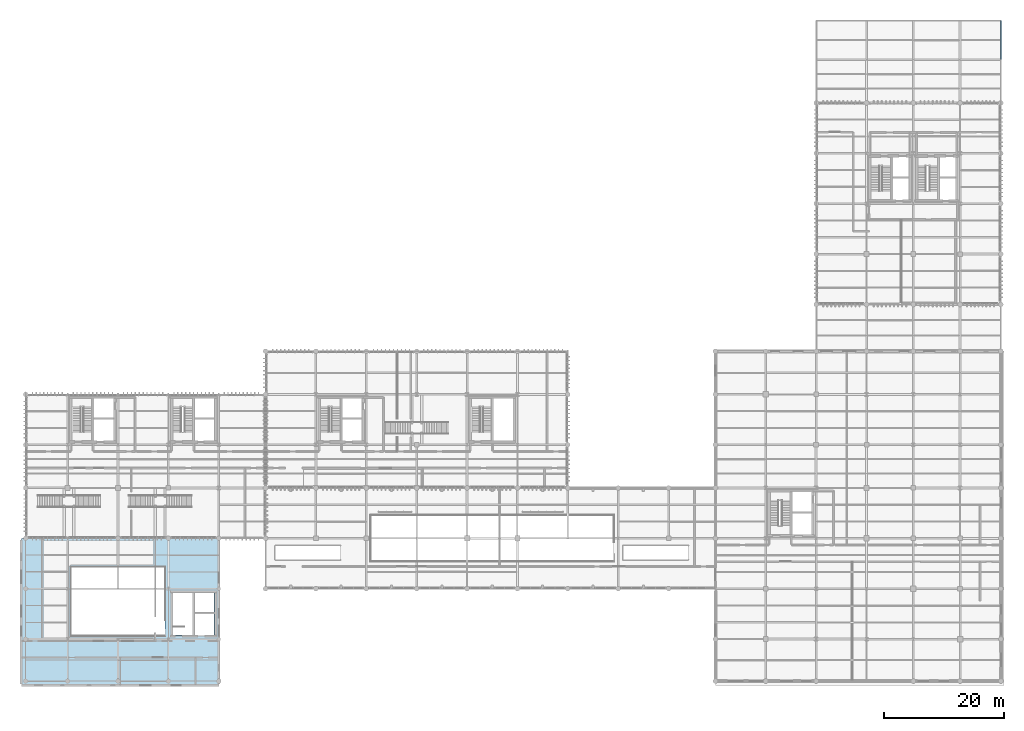
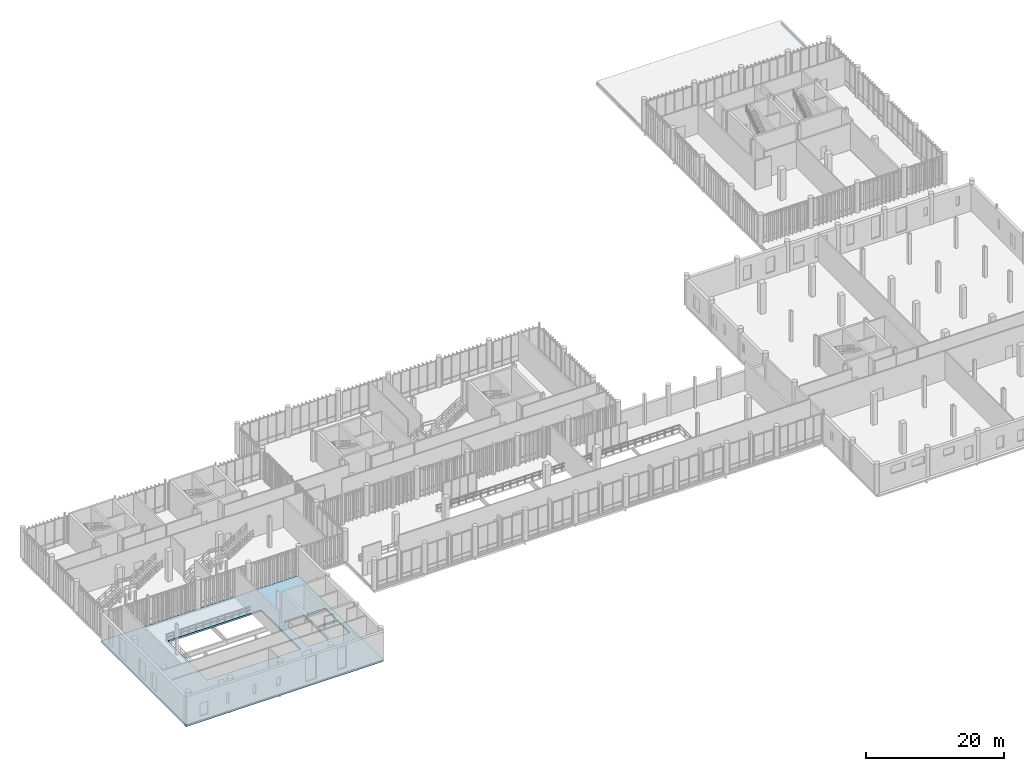
# One storey, part 92 of 128: 1 beam, 1 slab.
"""IFC4 building model written with IfcOpenShell, lengths in metres."""

from ifc_helpers import new_model, si_unit, direction, frame, origin_with_axes, origin_2d_with_axis, place, context, subcontext, project, spatial, polyline, hollow_rectangle, outline, extrude, material, layer, layer_set, material_profile, profile_set, type_object, element, save


model = new_model("IFC4")

# Units and contexts
model_context = context("Model", 3, precision=1e-05, world=origin_with_axes(), true_north=direction((0.0, 1.0)))
body_context = subcontext(model_context, "Body", "Model", "MODEL_VIEW")
ifc_project = project(units=[si_unit("LENGTHUNIT", "METRE"), si_unit("AREAUNIT", "SQUARE_METRE"), si_unit("VOLUMEUNIT", "CUBIC_METRE"), si_unit("PLANEANGLEUNIT", "RADIAN"), si_unit("MASSUNIT", "GRAM", prefix="KILO"), si_unit("THERMODYNAMICTEMPERATUREUNIT", "KELVIN")], contexts=[model_context])

# Site, building, storey
site_placement = place(None, origin_with_axes())
site = spatial("IfcSite", under=ifc_project, at=site_placement, CompositionType="ELEMENT")
building_placement = place(site_placement, origin_with_axes())
building = spatial("IfcBuilding", under=site, at=building_placement, Name="Montbau Bow Law Courts", CompositionType="ELEMENT")
storey_placement = place(building_placement, frame((0.0, 0.0, 5.4), z_axis=(0.0, 0.0, 1.0), x_axis=(1.0, 0.0, 0.0)))
storey = spatial("IfcBuildingStorey", under=building, at=storey_placement, Name="L01", CompositionType="ELEMENT", Elevation=5.4)

# Beam
ifc_material_1 = material(Name="Steel CSA G40.21 Grade 350WT (350 MPa)", Category="steel")
ifc_material_profile = material_profile(ifc_material_1, hollow_rectangle(XDim=0.203, YDim=0.406, WallThickness=0.0127, InnerFilletRadius=0.0254, OuterFilletRadius=0.0127, at=origin_2d_with_axis()), Name="HSS406X203X13", Category="Main", Priority=0)
ifc_profile_set = profile_set([ifc_material_profile], Name="Steel CSA G40.21 Grade 350WT (350 MPa)")
beam_type = type_object("IfcBeamType", Name="B-SPN-01", PredefinedType="SPANDREL", material=ifc_profile_set)
beam_placement = place(None, frame((169.4, 110.4, 4.947), z_axis=(0.0, 1.0, 0.0), x_axis=(-1.0, 0.0, 0.0)))
element("IfcBeam", 1, at=beam_placement, inside=storey, type_object=beam_type, Name="SPN-L01-S1164:bm2_1167", PredefinedType="SPANDREL", context=body_context, shape_type="SweptSolid", body=[
    extrude(hollow_rectangle(XDim=0.203, YDim=0.406, WallThickness=0.0127, InnerFilletRadius=0.0254, OuterFilletRadius=0.0127, at=origin_2d_with_axis()), origin_with_axes(), (0.0, 0.0, 1.0), 6.52),
])

# Slab
ifc_material_2 = material(Name="Concrete CSA A23.1 f'c 40 MPa", Category="concrete")
ifc_layer = layer(ifc_material_2, 0.3, Name="Floor Slab", Category="concrete")
ifc_layer_set = layer_set([ifc_layer], Name="Concrete CSA A23.1 f'c 40 MPa")
slab_type = type_object("IfcSlabType", Name="SL-FLR-06", PredefinedType="FLOOR", material=ifc_layer_set)
slab_placement = place(None, frame((0.0, 0.0, 5.1), z_axis=(0.0, 0.0, 1.0), x_axis=(1.0, 0.0, 0.0)))
element("IfcSlab", 2, at=slab_placement, inside=storey, type_object=slab_type, Name="SL-V1-L01:slb_0006", PredefinedType="FLOOR", context=body_context, shape_type="SweptSolid", body=[
    extrude(outline(polyline([(6.08, 6.08), (39.0, 6.08), (39.0, 30.6), (6.08, 30.6), (6.08, 6.08)]), holes=[polyline([(31.32, 14.458), (34.7, 14.458), (34.7, 21.56), (31.32, 21.56), (31.32, 14.458)]), polyline([(35.0, 14.44), (38.235, 14.44), (38.235, 18.022), (35.0, 18.022), (35.0, 14.44)]), polyline([(35.0, 18.262), (38.235, 18.262), (38.235, 21.56), (35.0, 21.56), (35.0, 18.262)]), polyline([(14.4, 14.4), (30.0, 14.4), (30.0, 25.8), (14.4, 25.8), (14.4, 14.4)])]), origin_with_axes(), (0.0, 0.0, 1.0), 0.3),
])

save(model, "model.ifc")
